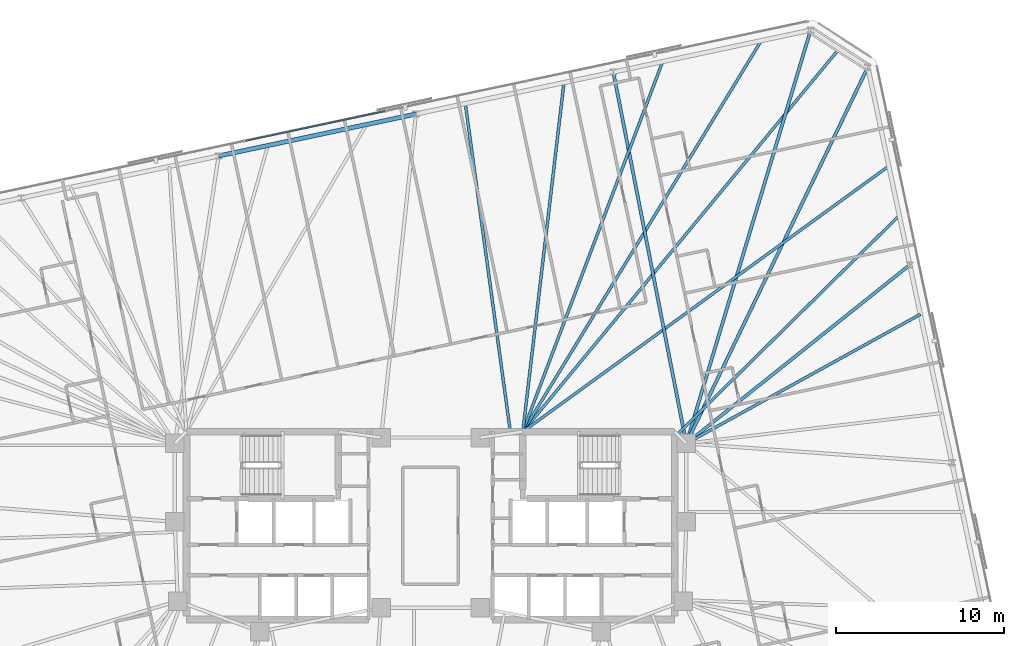
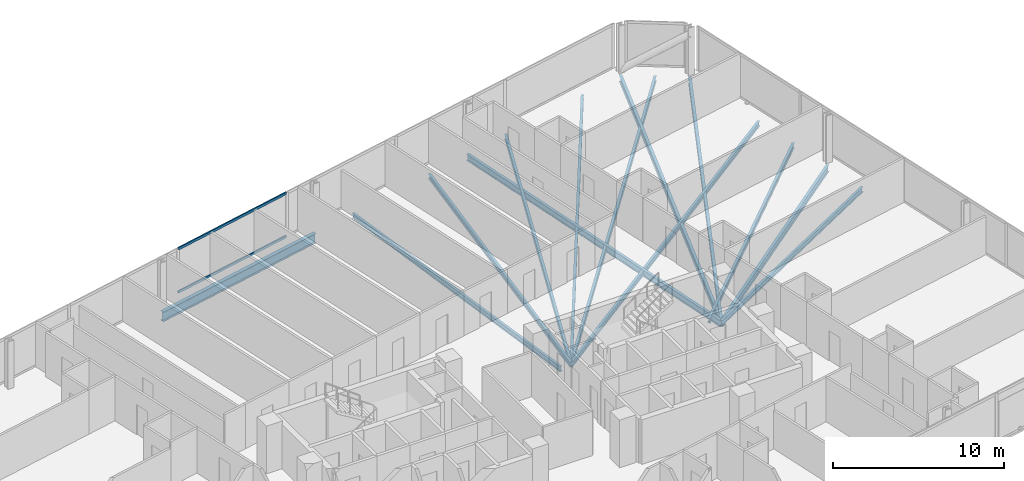
# One storey, part 10 of 21: 13 beams, 2 members, 1 element without a shape of its own.
"""IFC4 building model written with IfcOpenShell, lengths in metres."""

from ifc_helpers import new_model, si_unit, direction, frame, origin, origin_2d, place, context, subcontext, project, spatial, rectangle, i_section, extrude, material, material_profile, profile_set, type_object, element, aggregate, save


model = new_model("IFC4")

# Units and contexts
model_context = context("Model", 3, precision=1e-05, world=origin(), true_north=direction((0.0, 1.0)))
body_context = subcontext(model_context, "Body", "Model", "MODEL_VIEW")
ifc_project = project(units=[si_unit("LENGTHUNIT", "METRE"), si_unit("AREAUNIT", "SQUARE_METRE"), si_unit("VOLUMEUNIT", "CUBIC_METRE"), si_unit("PLANEANGLEUNIT", "RADIAN"), si_unit("MASSUNIT", "GRAM", prefix="KILO")], contexts=[model_context])

# Site, building, storey
site_placement = place(None, origin())
site = spatial("IfcSite", under=ifc_project, at=site_placement, CompositionType="ELEMENT")
building_placement = place(site_placement, origin())
building = spatial("IfcBuilding", under=site, at=building_placement, Name="Menara Jurai Vektor", CompositionType="ELEMENT")
storey_placement = place(building_placement, frame((0.0, 0.0, 188.800048828125)))
storey = spatial("IfcBuildingStorey", under=building, at=storey_placement, Name="L49", CompositionType="ELEMENT", Elevation=188.800048828125)

# Curtain wall, members
ifc_material_1 = material(Name="Anodised Pale Aluminium & Low-E Double Glazing", Category="aluminium")
curtain_wall_type = type_object("IfcCurtainWallType", Name="CW-BLK3", PredefinedType="NOTDEFINED", material=ifc_material_1)
curtain_wall_placement = place(storey_placement, origin())
curtain_wall = element("IfcCurtainWall", 1, at=curtain_wall_placement, inside=storey, type_object=curtain_wall_type, Name="Unitised Curtain Wall L49 F05", PredefinedType="NOTDEFINED")
ifc_material_2 = material(Name="Anodised Pale Aluminium Transom", Category="aluminium")
ifc_material_profile_1 = material_profile(ifc_material_2, rectangle(XDim=0.0849609375, YDim=0.175048828125, at=origin_2d()), Name="ALU TRN 85x175")
ifc_profile_set_1 = profile_set([ifc_material_profile_1], Name="Anodised Pale Aluminium Transom")
member_type = type_object("IfcMemberType", Name="CW-BLK3-TRN", PredefinedType="USERDEFINED", material=ifc_profile_set_1)
member_1_placement = place(storey_placement, frame((-2.716796875, 24.712890625, 0.04248046875), z_axis=(-0.978153589924, -0.207883511896, 0.0), x_axis=(0.207883511896, -0.978153589924, 0.0)))
member_1 = element("IfcMember", 2, at=member_1_placement, type_object=member_type, Name="CW-03 transom 4.1", ObjectType="TRANSOM", PredefinedType="USERDEFINED", context=body_context, shape_type="SweptSolid", body=[
    extrude(rectangle(XDim=0.0849609375, YDim=0.175048828125, at=origin_2d()), origin(), (0.0, 0.0, 1.0), 8.4921875),
])
member_2_placement = place(storey_placement, frame((-2.716796875, 24.712890625, 3.132568359375), z_axis=(-0.978153589924, -0.207883511896, 0.0), x_axis=(0.207883511896, -0.978153589924, 0.0)))
member_2 = element("IfcMember", 3, at=member_2_placement, type_object=member_type, Name="CW-03 transom 4.2", ObjectType="TRANSOM", PredefinedType="USERDEFINED", context=body_context, shape_type="SweptSolid", body=[
    extrude(rectangle(XDim=0.0849609375, YDim=0.175048828125, at=origin_2d()), origin(), (0.0, 0.0, 1.0), 8.4921875),
])
aggregate(curtain_wall, [member_1, member_2])

# Beams
ifc_material_3 = material(Name="Steel S355", Category="steel")
ifc_material_profile_2 = material_profile(ifc_material_3, i_section(OverallWidth=0.19091796875, OverallDepth=0.4599609375, WebThickness=0.010009765625, FlangeThickness=0.01611328125, FilletRadius=0.010009765625, at=origin_2d()), Name="UKB 457x191x82")
ifc_profile_set_2 = profile_set([ifc_material_profile_2], Name="Steel S355")
beam_type_1 = type_object("IfcBeamType", Name="STR-BM-457", PredefinedType="BEAM", material=ifc_profile_set_2)
beam_1_placement = place(storey_placement, frame((28.5771484375, 15.544921875, -0.455078125), z_axis=(-0.781346163898, -0.624097886683, 0.0), x_axis=(0.624097886683, -0.781346163898, 0.0)))
element("IfcBeam", 4, at=beam_1_placement, inside=storey, type_object=beam_type_1, Name="Radial Floor Girder L49-E3", PredefinedType="BEAM", context=body_context, shape_type="SweptSolid", body=[
    extrude(i_section(OverallWidth=0.19091796875, OverallDepth=0.4599609375, WebThickness=0.010009765625, FlangeThickness=0.01611328125, FilletRadius=0.010009765625, at=origin_2d()), origin(), (0.0, 0.0, 1.0), 17.056640625),
])
beam_2_placement = place(storey_placement, frame((26.0712890625, 27.33349609375, -0.455078125), z_axis=(-0.434465059539, -0.900688687639, 0.0), x_axis=(0.900688687639, -0.434465059539, 0.0)))
element("IfcBeam", 5, at=beam_2_placement, inside=storey, type_object=beam_type_1, Name="Radial Floor Girder L49-E4", PredefinedType="BEAM", context=body_context, shape_type="SweptSolid", body=[
    extrude(i_section(OverallWidth=0.19091796875, OverallDepth=0.4599609375, WebThickness=0.010009765625, FlangeThickness=0.01611328125, FilletRadius=0.010009765625, at=origin_2d()), origin(), (0.0, 0.0, 1.0), 24.9072265625),
])
beam_3_placement = place(storey_placement, frame((22.664794921875, 29.545654296875, -0.455078125), z_axis=(-0.288098843548, -0.957600676872, 0.0), x_axis=(0.957600676872, -0.288098843548, 0.0)))
element("IfcBeam", 6, at=beam_3_placement, inside=storey, type_object=beam_type_1, Name="Radial Floor Girder L49-N1", PredefinedType="BEAM", context=body_context, shape_type="SweptSolid", body=[
    extrude(i_section(OverallWidth=0.19091796875, OverallDepth=0.4599609375, WebThickness=0.010009765625, FlangeThickness=0.01611328125, FilletRadius=0.010009765625, at=origin_2d()), origin(), (0.0, 0.0, 1.0), 25.737060546875),
])
beam_4_placement = place(storey_placement, frame((10.896484375, 27.044189453125, -0.455078125), z_axis=(0.192905075816, -0.981217423268, 0.0), x_axis=(0.981217423268, 0.192905075816, 0.0)))
element("IfcBeam", 7, at=beam_4_placement, inside=storey, type_object=beam_type_1, Name="Radial Floor Girder L49-N2", PredefinedType="BEAM", context=body_context, shape_type="SweptSolid", body=[
    extrude(i_section(OverallWidth=0.19091796875, OverallDepth=0.4599609375, WebThickness=0.010009765625, FlangeThickness=0.01611328125, FilletRadius=0.010009765625, at=origin_2d()), origin(), (0.0, 0.0, 1.0), 22.568115234375),
])
ifc_material_profile_3 = material_profile(ifc_material_3, i_section(OverallWidth=0.172119140625, OverallDepth=0.35498046875, WebThickness=0.007080078125, FlangeThickness=0.011962890625, FilletRadius=0.010009765625, at=origin_2d()), Name="UKB 356x171x51")
ifc_profile_set_3 = profile_set([ifc_material_profile_3], Name="Steel S355")
beam_type_2 = type_object("IfcBeamType", Name="STR-JS-356", PredefinedType="JOIST", material=ifc_profile_set_3)
beam_5_placement = place(storey_placement, frame((29.20361328125, 12.597900390625, -0.402587890625), z_axis=(-0.875592207488, -0.483051018202, 0.0), x_axis=(0.483051018202, -0.875592207488, 0.0)))
element("IfcBeam", 8, at=beam_5_placement, inside=storey, type_object=beam_type_2, Name="Radial Secondary Floor Joist L49-JS14", PredefinedType="JOIST", context=body_context, shape_type="SweptSolid", body=[
    extrude(i_section(OverallWidth=0.172119140625, OverallDepth=0.35498046875, WebThickness=0.007080078125, FlangeThickness=0.011962890625, FilletRadius=0.010009765625, at=origin_2d()), origin(), (0.0, 0.0, 1.0), 15.936279296875),
])
beam_6_placement = place(storey_placement, frame((27.95068359375, 18.4921875, -0.402587890625), z_axis=(-0.712171791789, -0.702005227174, 0.0), x_axis=(0.702005227174, -0.712171791789, 0.0)))
element("IfcBeam", 9, at=beam_6_placement, inside=storey, type_object=beam_type_2, Name="Radial Secondary Floor Joist L49-JS15", PredefinedType="JOIST", context=body_context, shape_type="SweptSolid", body=[
    extrude(i_section(OverallWidth=0.172119140625, OverallDepth=0.35498046875, WebThickness=0.007080078125, FlangeThickness=0.011962890625, FilletRadius=0.010009765625, at=origin_2d()), origin(), (0.0, 0.0, 1.0), 18.5869140625),
])
beam_7_placement = place(storey_placement, frame((27.32421875, 21.439208984375, -0.402587890625), z_axis=(-0.809318640486, -0.587369847848, 0.0), x_axis=(0.587369847848, -0.809318640486, 0.0)))
element("IfcBeam", 10, at=beam_7_placement, inside=storey, type_object=beam_type_2, Name="Radial Secondary Floor Joist L49-JS16", PredefinedType="JOIST", context=body_context, shape_type="SweptSolid", body=[
    extrude(i_section(OverallWidth=0.172119140625, OverallDepth=0.35498046875, WebThickness=0.007080078125, FlangeThickness=0.011962890625, FilletRadius=0.010009765625, at=origin_2d()), origin(), (0.0, 0.0, 1.0), 26.966064453125),
])
beam_8_placement = place(storey_placement, frame((24.3681640625, 28.439697265625, -0.402587890625), z_axis=(-0.636894863934, -0.770950667873, 0.0), x_axis=(0.770950667873, -0.636894863934, 0.0)))
element("IfcBeam", 11, at=beam_8_placement, inside=storey, type_object=beam_type_2, Name="Radial Secondary Floor Joist L49-JS17", PredefinedType="JOIST", context=body_context, shape_type="SweptSolid", body=[
    extrude(i_section(OverallWidth=0.172119140625, OverallDepth=0.35498046875, WebThickness=0.007080078125, FlangeThickness=0.011962890625, FilletRadius=0.010009765625, at=origin_2d()), origin(), (0.0, 0.0, 1.0), 29.625244140625),
])
beam_9_placement = place(storey_placement, frame((19.72265625, 28.92041015625, -0.402587890625), z_axis=(-0.520686242997, -0.8537481106, 0.0), x_axis=(0.8537481106, -0.520686242997, 0.0)))
element("IfcBeam", 12, at=beam_9_placement, inside=storey, type_object=beam_type_2, Name="Radial Secondary Floor Joist L49-JS18", PredefinedType="JOIST", context=body_context, shape_type="SweptSolid", body=[
    extrude(i_section(OverallWidth=0.172119140625, OverallDepth=0.35498046875, WebThickness=0.007080078125, FlangeThickness=0.011962890625, FilletRadius=0.010009765625, at=origin_2d()), origin(), (0.0, 0.0, 1.0), 27.315185546875),
])
beam_10_placement = place(storey_placement, frame((13.838623046875, 27.669677734375, -0.402587890625), z_axis=(-0.353446048928, -0.935454910991, 0.0), x_axis=(0.935454910991, -0.353446048928, 0.0)))
element("IfcBeam", 13, at=beam_10_placement, inside=storey, type_object=beam_type_2, Name="Radial Secondary Floor Joist L49-JS19", PredefinedType="JOIST", context=body_context, shape_type="SweptSolid", body=[
    extrude(i_section(OverallWidth=0.172119140625, OverallDepth=0.35498046875, WebThickness=0.007080078125, FlangeThickness=0.011962890625, FilletRadius=0.010009765625, at=origin_2d()), origin(), (0.0, 0.0, 1.0), 23.59228515625),
])
beam_11_placement = place(storey_placement, frame((7.95458984375, 26.4189453125, -0.402587890625), z_axis=(-0.117091260338, -0.99312115915, 0.0), x_axis=(0.99312115915, -0.117091260338, 0.0)))
element("IfcBeam", 14, at=beam_11_placement, inside=storey, type_object=beam_type_2, Name="Radial Secondary Floor Joist L49-JS20", PredefinedType="JOIST", context=body_context, shape_type="SweptSolid", body=[
    extrude(i_section(OverallWidth=0.172119140625, OverallDepth=0.35498046875, WebThickness=0.007080078125, FlangeThickness=0.011962890625, FilletRadius=0.010009765625, at=origin_2d()), origin(), (0.0, 0.0, 1.0), 20.963134765625),
])
beam_12_placement = place(storey_placement, frame((2.0703125, 25.168212890625, -0.402587890625), z_axis=(0.135985700778, -0.990710799973, 0.0), x_axis=(0.990710799973, 0.135985700778, 0.0)))
element("IfcBeam", 15, at=beam_12_placement, inside=storey, type_object=beam_type_2, Name="Radial Secondary Floor Joist L49-JS21", PredefinedType="JOIST", context=body_context, shape_type="SweptSolid", body=[
    extrude(i_section(OverallWidth=0.172119140625, OverallDepth=0.35498046875, WebThickness=0.007080078125, FlangeThickness=0.011962890625, FilletRadius=0.010009765625, at=origin_2d()), origin(), (0.0, 0.0, 1.0), 19.852783203125),
])
ifc_material_4 = material(Name="Steel S460", Category="steel")
ifc_material_profile_4 = material_profile(ifc_material_4, i_section(OverallWidth=0.256103515625, OverallDepth=0.693115234375, WebThickness=0.013916015625, FlangeThickness=0.02392578125, FilletRadius=0.014892578125, at=origin_2d()), Name="UKB 686x254x170")
ifc_profile_set_4 = profile_set([ifc_material_profile_4], Name="Steel S460")
beam_type_3 = type_object("IfcBeamType", Name="STR-SP-686", PredefinedType="SPANDREL", material=ifc_profile_set_4)
beam_13_placement = place(storey_placement, frame((-0.87158203125, 24.54296875, -0.571533203125), z_axis=(-0.978147039247, -0.207914332389, 0.0), x_axis=(0.207914332389, -0.978147039247, 0.0)))
element("IfcBeam", 16, at=beam_13_placement, inside=storey, type_object=beam_type_3, Name="Exoskeleton Spandrel Beam L49-13", PredefinedType="SPANDREL", context=body_context, shape_type="SweptSolid", body=[
    extrude(i_section(OverallWidth=0.256103515625, OverallDepth=0.693115234375, WebThickness=0.013916015625, FlangeThickness=0.02392578125, FilletRadius=0.014892578125, at=origin_2d()), origin(), (0.0, 0.0, 1.0), 12.03125),
])

save(model, "model.ifc")
